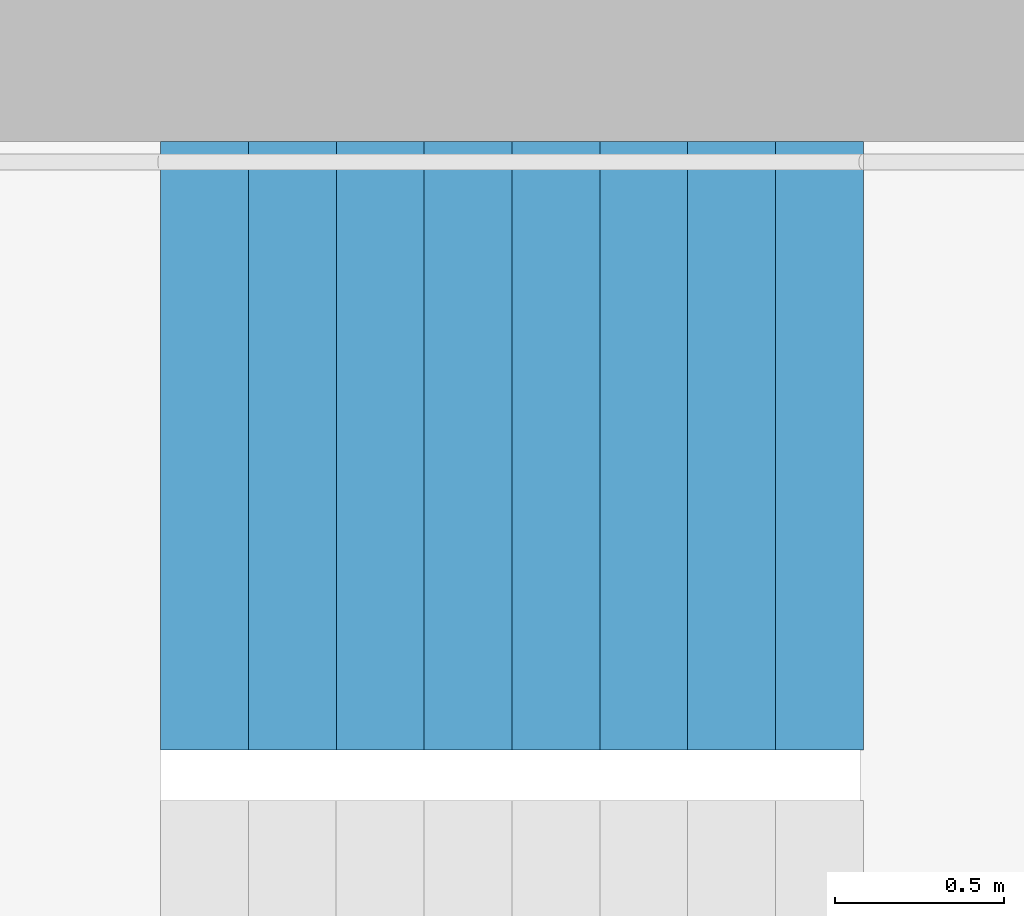
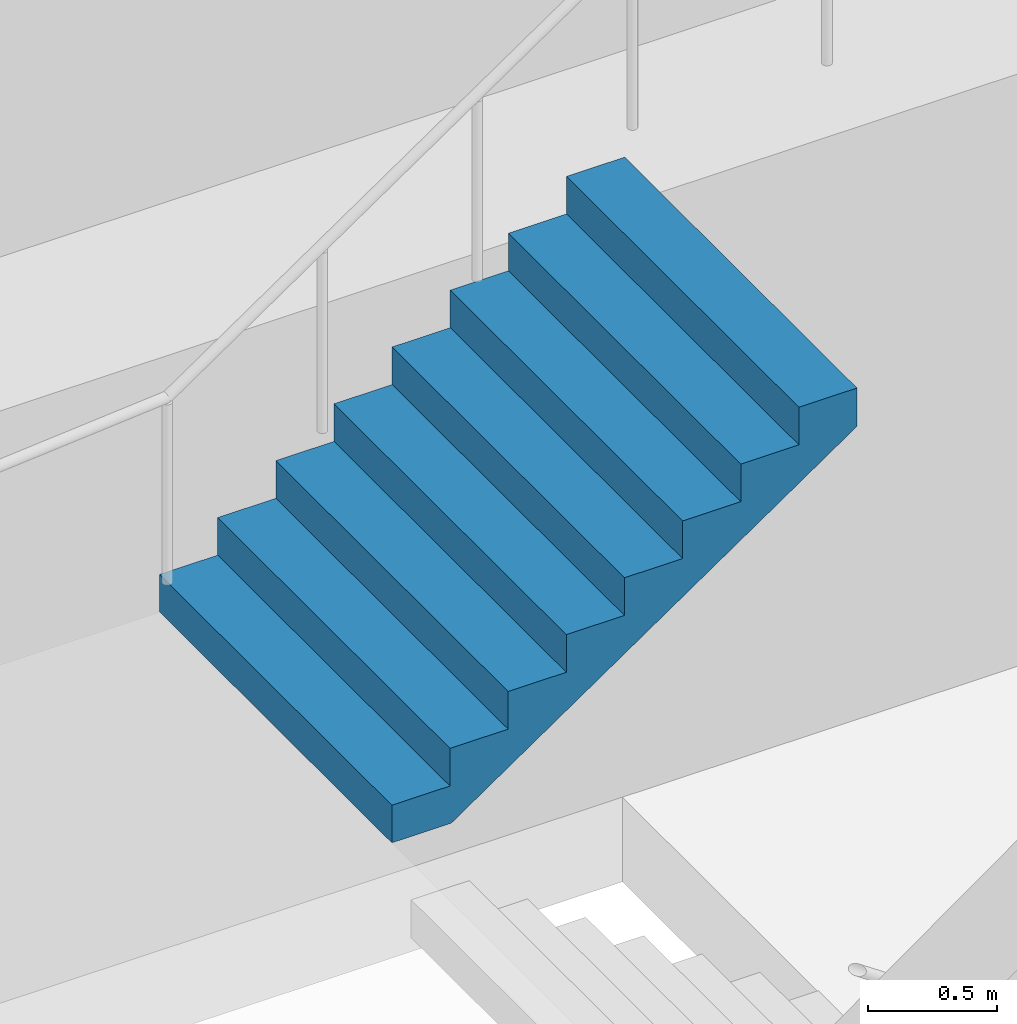
# One storey, part 29 of 37: 1 stair flight, 1 element without a shape of its own.
"""IFC4 building model written with IfcOpenShell, lengths in metres."""

from ifc_helpers import new_model, si_unit, direction, frame, origin, place, context, subcontext, project, spatial, triangles, material, type_object, element, aggregate, save


model = new_model("IFC4")

# Units and contexts
model_context = context("Model", 3, precision=1e-05, world=origin(), true_north=direction((0.0, 1.0)))
body_context = subcontext(model_context, "Body", "Model", "MODEL_VIEW")
ifc_project = project(units=[si_unit("LENGTHUNIT", "METRE"), si_unit("AREAUNIT", "SQUARE_METRE"), si_unit("VOLUMEUNIT", "CUBIC_METRE"), si_unit("PLANEANGLEUNIT", "RADIAN"), si_unit("MASSUNIT", "GRAM", prefix="KILO")], contexts=[model_context])

# Site, building, storey
site_placement = place(None, origin())
site = spatial("IfcSite", under=ifc_project, at=site_placement, CompositionType="ELEMENT")
building_placement = place(site_placement, origin())
building = spatial("IfcBuilding", under=site, at=building_placement, Name="Hakoniwa Tower and Hamabe Station Hall", CompositionType="ELEMENT")
storey_placement = place(building_placement, frame((0.0, 0.0, 39.0)))
storey = spatial("IfcBuildingStorey", under=building, at=storey_placement, Name="L10", CompositionType="ELEMENT", Elevation=39.0)

# Stair, stair flight
ifc_material_1 = material(Name="Concrete C40", Category="concrete")
stair_type = type_object("IfcStairType", Name="ESCAPE STAIR 1800", PredefinedType="HALF_TURN_STAIR", material=ifc_material_1)
stair_placement = place(storey_placement, origin())
stair = element("IfcStair", 1, at=stair_placement, inside=storey, type_object=stair_type, Name="Escape stair ST-3 L10", PredefinedType="HALF_TURN_STAIR")
ifc_material_2 = material(Name="Concrete C40", Category="concrete")
stair_flight_type = type_object("IfcStairFlightType", Name="STAIR FLIGHT 1800", PredefinedType="STRAIGHT", material=ifc_material_2)
stair_flight_placement = place(storey_placement, frame((22.320068359375, 6.60009765625, 1.60009765625), z_axis=(0.0, 0.0, 1.0), x_axis=(1.0, 0.0, 0.0)))
stair_flight = element("IfcStairFlight", 2, at=stair_flight_placement, type_object=stair_flight_type, Name="ST-3 flight 2", NumberOfRisers=9, NumberOfTreads=8, PredefinedType="STRAIGHT", RiserHeight=0.177777778, TreadLength=0.26, context=body_context, shape_type="Tessellation", body=[
    triangles([(0.0, 0.89990234375, 0.0), (0.260009765625, 0.89990234375, 0.0), (0.265625, 0.89990234375, 0.0), (0.52001953125, 0.89990234375, 0.174072265625), (0.780029296875, 0.89990234375, 0.351806640625), (1.0400390625, 0.89990234375, 0.529541015625), (1.300048828125, 0.89990234375, 0.707275390625), (1.56005859375, 0.89990234375, 0.885009765625), (1.820068359375, 0.89990234375, 1.062744140625), (2.080078125, 0.89990234375, 1.24072265625), (2.080078125, 0.89990234375, 1.422119140625), (1.820068359375, 0.89990234375, 1.422119140625), (1.820068359375, 0.89990234375, 1.244384765625), (1.56005859375, 0.89990234375, 1.244384765625), (1.56005859375, 0.89990234375, 1.066650390625), (1.300048828125, 0.89990234375, 1.066650390625), (1.300048828125, 0.89990234375, 0.888916015625), (1.0400390625, 0.89990234375, 0.888916015625), (1.0400390625, 0.89990234375, 0.711181640625), (0.780029296875, 0.89990234375, 0.711181640625), (0.780029296875, 0.89990234375, 0.533447265625), (0.52001953125, 0.89990234375, 0.533447265625), (0.52001953125, 0.89990234375, 0.35546875), (0.265625, 0.89990234375, 0.35546875), (0.260009765625, 0.89990234375, 0.35546875), (0.260009765625, 0.89990234375, 0.177734375), (0.0, 0.89990234375, 0.177734375), (0.0, 0.06005859375, 0.0), (0.260009765625, 0.06005859375, 0.0), (0.265625, 0.06005859375, 0.0), (0.52001953125, 0.06005859375, 0.174072265625), (0.780029296875, 0.06005859375, 0.351806640625), (1.0400390625, 0.06005859375, 0.529541015625), (1.300048828125, 0.06005859375, 0.707275390625), (1.56005859375, 0.06005859375, 0.885009765625), (1.820068359375, 0.06005859375, 1.062744140625), (2.080078125, 0.06005859375, 1.24072265625), (2.080078125, 0.06005859375, 1.422119140625), (1.820068359375, 0.06005859375, 1.422119140625), (1.820068359375, 0.06005859375, 1.244384765625), (1.56005859375, 0.06005859375, 1.244384765625), (1.56005859375, 0.06005859375, 1.066650390625), (1.300048828125, 0.06005859375, 1.066650390625), (1.300048828125, 0.06005859375, 0.888916015625), (1.0400390625, 0.06005859375, 0.888916015625), (1.0400390625, 0.06005859375, 0.711181640625), (0.780029296875, 0.06005859375, 0.711181640625), (0.780029296875, 0.06005859375, 0.533447265625), (0.52001953125, 0.06005859375, 0.533447265625), (0.52001953125, 0.06005859375, 0.35546875), (0.265625, 0.06005859375, 0.35546875), (0.260009765625, 0.06005859375, 0.35546875), (0.260009765625, 0.06005859375, 0.177734375), (0.0, 0.06005859375, 0.177734375), (0.0, 0.04296875, 0.0), (0.260009765625, 0.04296875, 0.0), (0.265625, 0.04296875, 0.0), (0.52001953125, 0.04296875, 0.174072265625), (0.780029296875, 0.04296875, 0.351806640625), (1.0400390625, 0.04296875, 0.529541015625), (1.300048828125, 0.04296875, 0.707275390625), (1.56005859375, 0.04296875, 0.885009765625), (1.820068359375, 0.04296875, 1.062744140625), (2.080078125, 0.04296875, 1.24072265625), (2.080078125, 0.04296875, 1.422119140625), (1.820068359375, 0.04296875, 1.422119140625), (1.820068359375, 0.04296875, 1.244384765625), (1.56005859375, 0.04296875, 1.244384765625), (1.56005859375, 0.04296875, 1.066650390625), (1.300048828125, 0.04296875, 1.066650390625), (1.300048828125, 0.04296875, 0.888916015625), (1.0400390625, 0.04296875, 0.888916015625), (1.0400390625, 0.04296875, 0.711181640625), (0.780029296875, 0.04296875, 0.711181640625), (0.780029296875, 0.04296875, 0.533447265625), (0.52001953125, 0.04296875, 0.533447265625), (0.52001953125, 0.04296875, 0.35546875), (0.265625, 0.04296875, 0.35546875), (0.260009765625, 0.04296875, 0.35546875), (0.260009765625, 0.04296875, 0.177734375), (0.0, 0.04296875, 0.177734375), (0.0, 0.025634765625, 0.0), (0.260009765625, 0.025634765625, 0.0), (0.265625, 0.025634765625, 0.0), (0.52001953125, 0.025634765625, 0.174072265625), (0.780029296875, 0.025634765625, 0.351806640625), (1.0400390625, 0.025634765625, 0.529541015625), (1.300048828125, 0.025634765625, 0.707275390625), (1.56005859375, 0.025634765625, 0.885009765625), (1.820068359375, 0.025634765625, 1.062744140625), (2.080078125, 0.025634765625, 1.24072265625), (2.080078125, 0.025634765625, 1.422119140625), (1.820068359375, 0.025634765625, 1.422119140625), (1.820068359375, 0.025634765625, 1.244384765625), (1.56005859375, 0.025634765625, 1.244384765625), (1.56005859375, 0.025634765625, 1.066650390625), (1.300048828125, 0.025634765625, 1.066650390625), (1.300048828125, 0.025634765625, 0.888916015625), (1.0400390625, 0.025634765625, 0.888916015625), (1.0400390625, 0.025634765625, 0.711181640625), (0.780029296875, 0.025634765625, 0.711181640625), (0.780029296875, 0.025634765625, 0.533447265625), (0.52001953125, 0.025634765625, 0.533447265625), (0.52001953125, 0.025634765625, 0.35546875), (0.265625, 0.025634765625, 0.35546875), (0.260009765625, 0.025634765625, 0.35546875), (0.260009765625, 0.025634765625, 0.177734375), (0.0, 0.025634765625, 0.177734375), (0.0, 0.008544921875, 0.0), (0.260009765625, 0.008544921875, 0.0), (0.265625, 0.008544921875, 0.0), (0.52001953125, 0.008544921875, 0.174072265625), (0.780029296875, 0.008544921875, 0.351806640625), (1.0400390625, 0.008544921875, 0.529541015625), (1.300048828125, 0.008544921875, 0.707275390625), (1.56005859375, 0.008544921875, 0.885009765625), (1.820068359375, 0.008544921875, 1.062744140625), (2.080078125, 0.008544921875, 1.24072265625), (2.080078125, 0.008544921875, 1.422119140625), (1.820068359375, 0.008544921875, 1.422119140625), (1.820068359375, 0.008544921875, 1.244384765625), (1.56005859375, 0.008544921875, 1.244384765625), (1.56005859375, 0.008544921875, 1.066650390625), (1.300048828125, 0.008544921875, 1.066650390625), (1.300048828125, 0.008544921875, 0.888916015625), (1.0400390625, 0.008544921875, 0.888916015625), (1.0400390625, 0.008544921875, 0.711181640625), (0.780029296875, 0.008544921875, 0.711181640625), (0.780029296875, 0.008544921875, 0.533447265625), (0.52001953125, 0.008544921875, 0.533447265625), (0.52001953125, 0.008544921875, 0.35546875), (0.265625, 0.008544921875, 0.35546875), (0.260009765625, 0.008544921875, 0.35546875), (0.260009765625, 0.008544921875, 0.177734375), (0.0, 0.008544921875, 0.177734375), (0.0, -0.008544921875, 0.0), (0.260009765625, -0.008544921875, 0.0), (0.265625, -0.008544921875, 0.0), (0.52001953125, -0.008544921875, 0.174072265625), (0.780029296875, -0.008544921875, 0.351806640625), (1.0400390625, -0.008544921875, 0.529541015625), (1.300048828125, -0.008544921875, 0.707275390625), (1.56005859375, -0.008544921875, 0.885009765625), (1.820068359375, -0.008544921875, 1.062744140625), (2.080078125, -0.008544921875, 1.24072265625), (2.080078125, -0.008544921875, 1.422119140625), (1.820068359375, -0.008544921875, 1.422119140625), (1.820068359375, -0.008544921875, 1.244384765625), (1.56005859375, -0.008544921875, 1.244384765625), (1.56005859375, -0.008544921875, 1.066650390625), (1.300048828125, -0.008544921875, 1.066650390625), (1.300048828125, -0.008544921875, 0.888916015625), (1.0400390625, -0.008544921875, 0.888916015625), (1.0400390625, -0.008544921875, 0.711181640625), (0.780029296875, -0.008544921875, 0.711181640625), (0.780029296875, -0.008544921875, 0.533447265625), (0.52001953125, -0.008544921875, 0.533447265625), (0.52001953125, -0.008544921875, 0.35546875), (0.265625, -0.008544921875, 0.35546875), (0.260009765625, -0.008544921875, 0.35546875), (0.260009765625, -0.008544921875, 0.177734375), (0.0, -0.008544921875, 0.177734375), (0.0, -0.025634765625, 0.0), (0.260009765625, -0.025634765625, 0.0), (0.265625, -0.025634765625, 0.0), (0.52001953125, -0.025634765625, 0.174072265625), (0.780029296875, -0.025634765625, 0.351806640625), (1.0400390625, -0.025634765625, 0.529541015625), (1.300048828125, -0.025634765625, 0.707275390625), (1.56005859375, -0.025634765625, 0.885009765625), (1.820068359375, -0.025634765625, 1.062744140625), (2.080078125, -0.025634765625, 1.24072265625), (2.080078125, -0.025634765625, 1.422119140625), (1.820068359375, -0.025634765625, 1.422119140625), (1.820068359375, -0.025634765625, 1.244384765625), (1.56005859375, -0.025634765625, 1.244384765625), (1.56005859375, -0.025634765625, 1.066650390625), (1.300048828125, -0.025634765625, 1.066650390625), (1.300048828125, -0.025634765625, 0.888916015625), (1.0400390625, -0.025634765625, 0.888916015625), (1.0400390625, -0.025634765625, 0.711181640625), (0.780029296875, -0.025634765625, 0.711181640625), (0.780029296875, -0.025634765625, 0.533447265625), (0.52001953125, -0.025634765625, 0.533447265625), (0.52001953125, -0.025634765625, 0.35546875), (0.265625, -0.025634765625, 0.35546875), (0.260009765625, -0.025634765625, 0.35546875), (0.260009765625, -0.025634765625, 0.177734375), (0.0, -0.025634765625, 0.177734375), (0.0, -0.04296875, 0.0), (0.260009765625, -0.04296875, 0.0), (0.265625, -0.04296875, 0.0), (0.52001953125, -0.04296875, 0.174072265625), (0.780029296875, -0.04296875, 0.351806640625), (1.0400390625, -0.04296875, 0.529541015625), (1.300048828125, -0.04296875, 0.707275390625), (1.56005859375, -0.04296875, 0.885009765625), (1.820068359375, -0.04296875, 1.062744140625), (2.080078125, -0.04296875, 1.24072265625), (2.080078125, -0.04296875, 1.422119140625), (1.820068359375, -0.04296875, 1.422119140625), (1.820068359375, -0.04296875, 1.244384765625), (1.56005859375, -0.04296875, 1.244384765625), (1.56005859375, -0.04296875, 1.066650390625), (1.300048828125, -0.04296875, 1.066650390625), (1.300048828125, -0.04296875, 0.888916015625), (1.0400390625, -0.04296875, 0.888916015625), (1.0400390625, -0.04296875, 0.711181640625), (0.780029296875, -0.04296875, 0.711181640625), (0.780029296875, -0.04296875, 0.533447265625), (0.52001953125, -0.04296875, 0.533447265625), (0.52001953125, -0.04296875, 0.35546875), (0.265625, -0.04296875, 0.35546875), (0.260009765625, -0.04296875, 0.35546875), (0.260009765625, -0.04296875, 0.177734375), (0.0, -0.04296875, 0.177734375), (0.0, -0.06005859375, 0.0), (0.260009765625, -0.06005859375, 0.0), (0.265625, -0.06005859375, 0.0), (0.52001953125, -0.06005859375, 0.174072265625), (0.780029296875, -0.06005859375, 0.351806640625), (1.0400390625, -0.06005859375, 0.529541015625), (1.300048828125, -0.06005859375, 0.707275390625), (1.56005859375, -0.06005859375, 0.885009765625), (1.820068359375, -0.06005859375, 1.062744140625), (2.080078125, -0.06005859375, 1.24072265625), (2.080078125, -0.06005859375, 1.422119140625), (1.820068359375, -0.06005859375, 1.422119140625), (1.820068359375, -0.06005859375, 1.244384765625), (1.56005859375, -0.06005859375, 1.244384765625), (1.56005859375, -0.06005859375, 1.066650390625), (1.300048828125, -0.06005859375, 1.066650390625), (1.300048828125, -0.06005859375, 0.888916015625), (1.0400390625, -0.06005859375, 0.888916015625), (1.0400390625, -0.06005859375, 0.711181640625), (0.780029296875, -0.06005859375, 0.711181640625), (0.780029296875, -0.06005859375, 0.533447265625), (0.52001953125, -0.06005859375, 0.533447265625), (0.52001953125, -0.06005859375, 0.35546875), (0.265625, -0.06005859375, 0.35546875), (0.260009765625, -0.06005859375, 0.35546875), (0.260009765625, -0.06005859375, 0.177734375), (0.0, -0.06005859375, 0.177734375), (0.0, -0.89990234375, 0.0), (0.260009765625, -0.89990234375, 0.0), (0.265625, -0.89990234375, 0.0), (0.52001953125, -0.89990234375, 0.174072265625), (0.780029296875, -0.89990234375, 0.351806640625), (1.0400390625, -0.89990234375, 0.529541015625), (1.300048828125, -0.89990234375, 0.707275390625), (1.56005859375, -0.89990234375, 0.885009765625), (1.820068359375, -0.89990234375, 1.062744140625), (2.080078125, -0.89990234375, 1.24072265625), (2.080078125, -0.89990234375, 1.422119140625), (1.820068359375, -0.89990234375, 1.422119140625), (1.820068359375, -0.89990234375, 1.244384765625), (1.56005859375, -0.89990234375, 1.244384765625), (1.56005859375, -0.89990234375, 1.066650390625), (1.300048828125, -0.89990234375, 1.066650390625), (1.300048828125, -0.89990234375, 0.888916015625), (1.0400390625, -0.89990234375, 0.888916015625), (1.0400390625, -0.89990234375, 0.711181640625), (0.780029296875, -0.89990234375, 0.711181640625), (0.780029296875, -0.89990234375, 0.533447265625), (0.52001953125, -0.89990234375, 0.533447265625), (0.52001953125, -0.89990234375, 0.35546875), (0.265625, -0.89990234375, 0.35546875), (0.260009765625, -0.89990234375, 0.35546875), (0.260009765625, -0.89990234375, 0.177734375), (0.0, -0.89990234375, 0.177734375)], [[2, 27, 26], [245, 269, 270], [2, 1, 27], [245, 270, 244], [3, 25, 24], [246, 267, 268], [3, 26, 25], [246, 268, 269], [3, 2, 26], [246, 269, 245], [4, 24, 23], [247, 266, 267], [4, 3, 24], [247, 267, 246], [5, 22, 21], [248, 264, 265], [5, 23, 22], [248, 265, 266], [5, 4, 23], [248, 266, 247], [6, 20, 19], [249, 262, 263], [6, 21, 20], [249, 263, 264], [6, 5, 21], [249, 264, 248], [7, 18, 17], [250, 260, 261], [7, 19, 18], [250, 261, 262], [7, 6, 19], [250, 262, 249], [8, 16, 15], [251, 258, 259], [8, 17, 16], [251, 259, 260], [8, 7, 17], [251, 260, 250], [9, 14, 13], [252, 256, 257], [9, 15, 14], [252, 257, 258], [9, 8, 15], [252, 258, 251], [10, 12, 11], [253, 254, 255], [10, 13, 12], [253, 255, 256], [10, 9, 13], [253, 256, 252], [1, 2, 29], [1, 29, 28], [28, 29, 56], [28, 56, 55], [55, 56, 83], [55, 83, 82], [82, 83, 110], [82, 110, 109], [109, 110, 137], [109, 137, 136], [136, 137, 164], [136, 164, 163], [163, 164, 191], [163, 191, 190], [190, 191, 218], [190, 218, 217], [217, 218, 245], [217, 245, 244], [2, 3, 30], [2, 30, 29], [29, 30, 57], [29, 57, 56], [56, 57, 84], [56, 84, 83], [83, 84, 111], [83, 111, 110], [110, 111, 138], [110, 138, 137], [137, 138, 165], [137, 165, 164], [164, 165, 192], [164, 192, 191], [191, 192, 219], [191, 219, 218], [218, 219, 246], [218, 246, 245], [3, 4, 31], [3, 31, 30], [30, 31, 58], [30, 58, 57], [57, 58, 85], [57, 85, 84], [84, 85, 112], [84, 112, 111], [111, 112, 139], [111, 139, 138], [138, 139, 166], [138, 166, 165], [165, 166, 193], [165, 193, 192], [192, 193, 220], [192, 220, 219], [219, 220, 247], [219, 247, 246], [4, 5, 32], [4, 32, 31], [31, 32, 59], [31, 59, 58], [58, 59, 86], [58, 86, 85], [85, 86, 113], [85, 113, 112], [112, 113, 140], [112, 140, 139], [139, 140, 167], [139, 167, 166], [166, 167, 194], [166, 194, 193], [193, 194, 221], [193, 221, 220], [220, 221, 248], [220, 248, 247], [5, 6, 33], [5, 33, 32], [32, 33, 60], [32, 60, 59], [59, 60, 87], [59, 87, 86], [86, 87, 114], [86, 114, 113], [113, 114, 141], [113, 141, 140], [140, 141, 168], [140, 168, 167], [167, 168, 195], [167, 195, 194], [194, 195, 222], [194, 222, 221], [221, 222, 249], [221, 249, 248], [6, 7, 34], [6, 34, 33], [33, 34, 61], [33, 61, 60], [60, 61, 88], [60, 88, 87], [87, 88, 115], [87, 115, 114], [114, 115, 142], [114, 142, 141], [141, 142, 169], [141, 169, 168], [168, 169, 196], [168, 196, 195], [195, 196, 223], [195, 223, 222], [222, 223, 250], [222, 250, 249], [7, 8, 35], [7, 35, 34], [34, 35, 62], [34, 62, 61], [61, 62, 89], [61, 89, 88], [88, 89, 116], [88, 116, 115], [115, 116, 143], [115, 143, 142], [142, 143, 170], [142, 170, 169], [169, 170, 197], [169, 197, 196], [196, 197, 224], [196, 224, 223], [223, 224, 251], [223, 251, 250], [8, 9, 36], [8, 36, 35], [35, 36, 63], [35, 63, 62], [62, 63, 90], [62, 90, 89], [89, 90, 117], [89, 117, 116], [116, 117, 144], [116, 144, 143], [143, 144, 171], [143, 171, 170], [170, 171, 198], [170, 198, 197], [197, 198, 225], [197, 225, 224], [224, 225, 252], [224, 252, 251], [9, 10, 37], [9, 37, 36], [36, 37, 64], [36, 64, 63], [63, 64, 91], [63, 91, 90], [90, 91, 118], [90, 118, 117], [117, 118, 145], [117, 145, 144], [144, 145, 172], [144, 172, 171], [171, 172, 199], [171, 199, 198], [198, 199, 226], [198, 226, 225], [225, 226, 253], [225, 253, 252], [10, 11, 38], [10, 38, 37], [37, 38, 65], [37, 65, 64], [64, 65, 92], [64, 92, 91], [91, 92, 119], [91, 119, 118], [118, 119, 146], [118, 146, 145], [145, 146, 173], [145, 173, 172], [172, 173, 200], [172, 200, 199], [199, 200, 227], [199, 227, 226], [226, 227, 254], [226, 254, 253], [11, 12, 39], [11, 39, 38], [38, 39, 66], [38, 66, 65], [65, 66, 93], [65, 93, 92], [92, 93, 120], [92, 120, 119], [119, 120, 147], [119, 147, 146], [146, 147, 174], [146, 174, 173], [173, 174, 201], [173, 201, 200], [200, 201, 228], [200, 228, 227], [227, 228, 255], [227, 255, 254], [12, 13, 40], [12, 40, 39], [39, 40, 67], [39, 67, 66], [66, 67, 94], [66, 94, 93], [93, 94, 121], [93, 121, 120], [120, 121, 148], [120, 148, 147], [147, 148, 175], [147, 175, 174], [174, 175, 202], [174, 202, 201], [201, 202, 229], [201, 229, 228], [228, 229, 256], [228, 256, 255], [13, 14, 41], [13, 41, 40], [40, 41, 68], [40, 68, 67], [67, 68, 95], [67, 95, 94], [94, 95, 122], [94, 122, 121], [121, 122, 149], [121, 149, 148], [148, 149, 176], [148, 176, 175], [175, 176, 203], [175, 203, 202], [202, 203, 230], [202, 230, 229], [229, 230, 257], [229, 257, 256], [14, 15, 42], [14, 42, 41], [41, 42, 69], [41, 69, 68], [68, 69, 96], [68, 96, 95], [95, 96, 123], [95, 123, 122], [122, 123, 150], [122, 150, 149], [149, 150, 177], [149, 177, 176], [176, 177, 204], [176, 204, 203], [203, 204, 231], [203, 231, 230], [230, 231, 258], [230, 258, 257], [15, 16, 43], [15, 43, 42], [42, 43, 70], [42, 70, 69], [69, 70, 97], [69, 97, 96], [96, 97, 124], [96, 124, 123], [123, 124, 151], [123, 151, 150], [150, 151, 178], [150, 178, 177], [177, 178, 205], [177, 205, 204], [204, 205, 232], [204, 232, 231], [231, 232, 259], [231, 259, 258], [16, 17, 44], [16, 44, 43], [43, 44, 71], [43, 71, 70], [70, 71, 98], [70, 98, 97], [97, 98, 125], [97, 125, 124], [124, 125, 152], [124, 152, 151], [151, 152, 179], [151, 179, 178], [178, 179, 206], [178, 206, 205], [205, 206, 233], [205, 233, 232], [232, 233, 260], [232, 260, 259], [17, 18, 45], [17, 45, 44], [44, 45, 72], [44, 72, 71], [71, 72, 99], [71, 99, 98], [98, 99, 126], [98, 126, 125], [125, 126, 153], [125, 153, 152], [152, 153, 180], [152, 180, 179], [179, 180, 207], [179, 207, 206], [206, 207, 234], [206, 234, 233], [233, 234, 261], [233, 261, 260], [18, 19, 46], [18, 46, 45], [45, 46, 73], [45, 73, 72], [72, 73, 100], [72, 100, 99], [99, 100, 127], [99, 127, 126], [126, 127, 154], [126, 154, 153], [153, 154, 181], [153, 181, 180], [180, 181, 208], [180, 208, 207], [207, 208, 235], [207, 235, 234], [234, 235, 262], [234, 262, 261], [19, 20, 47], [19, 47, 46], [46, 47, 74], [46, 74, 73], [73, 74, 101], [73, 101, 100], [100, 101, 128], [100, 128, 127], [127, 128, 155], [127, 155, 154], [154, 155, 182], [154, 182, 181], [181, 182, 209], [181, 209, 208], [208, 209, 236], [208, 236, 235], [235, 236, 263], [235, 263, 262], [20, 21, 48], [20, 48, 47], [47, 48, 75], [47, 75, 74], [74, 75, 102], [74, 102, 101], [101, 102, 129], [101, 129, 128], [128, 129, 156], [128, 156, 155], [155, 156, 183], [155, 183, 182], [182, 183, 210], [182, 210, 209], [209, 210, 237], [209, 237, 236], [236, 237, 264], [236, 264, 263], [21, 22, 49], [21, 49, 48], [48, 49, 76], [48, 76, 75], [75, 76, 103], [75, 103, 102], [102, 103, 130], [102, 130, 129], [129, 130, 157], [129, 157, 156], [156, 157, 184], [156, 184, 183], [183, 184, 211], [183, 211, 210], [210, 211, 238], [210, 238, 237], [237, 238, 265], [237, 265, 264], [22, 23, 50], [22, 50, 49], [49, 50, 77], [49, 77, 76], [76, 77, 104], [76, 104, 103], [103, 104, 131], [103, 131, 130], [130, 131, 158], [130, 158, 157], [157, 158, 185], [157, 185, 184], [184, 185, 212], [184, 212, 211], [211, 212, 239], [211, 239, 238], [238, 239, 266], [238, 266, 265], [23, 24, 51], [23, 51, 50], [50, 51, 78], [50, 78, 77], [77, 78, 105], [77, 105, 104], [104, 105, 132], [104, 132, 131], [131, 132, 159], [131, 159, 158], [158, 159, 186], [158, 186, 185], [185, 186, 213], [185, 213, 212], [212, 213, 240], [212, 240, 239], [239, 240, 267], [239, 267, 266], [24, 25, 52], [24, 52, 51], [51, 52, 79], [51, 79, 78], [78, 79, 106], [78, 106, 105], [105, 106, 133], [105, 133, 132], [132, 133, 160], [132, 160, 159], [159, 160, 187], [159, 187, 186], [186, 187, 214], [186, 214, 213], [213, 214, 241], [213, 241, 240], [240, 241, 268], [240, 268, 267], [25, 26, 53], [25, 53, 52], [52, 53, 80], [52, 80, 79], [79, 80, 107], [79, 107, 106], [106, 107, 134], [106, 134, 133], [133, 134, 161], [133, 161, 160], [160, 161, 188], [160, 188, 187], [187, 188, 215], [187, 215, 214], [214, 215, 242], [214, 242, 241], [241, 242, 269], [241, 269, 268], [26, 27, 54], [26, 54, 53], [53, 54, 81], [53, 81, 80], [80, 81, 108], [80, 108, 107], [107, 108, 135], [107, 135, 134], [134, 135, 162], [134, 162, 161], [161, 162, 189], [161, 189, 188], [188, 189, 216], [188, 216, 215], [215, 216, 243], [215, 243, 242], [242, 243, 270], [242, 270, 269], [27, 1, 28], [27, 28, 54], [54, 28, 55], [54, 55, 81], [81, 55, 82], [81, 82, 108], [108, 82, 109], [108, 109, 135], [135, 109, 136], [135, 136, 162], [162, 136, 163], [162, 163, 189], [189, 163, 190], [189, 190, 216], [216, 190, 217], [216, 217, 243], [243, 217, 244], [243, 244, 270]], closed=True),
])
aggregate(stair, [stair_flight])

save(model, "model.ifc")
